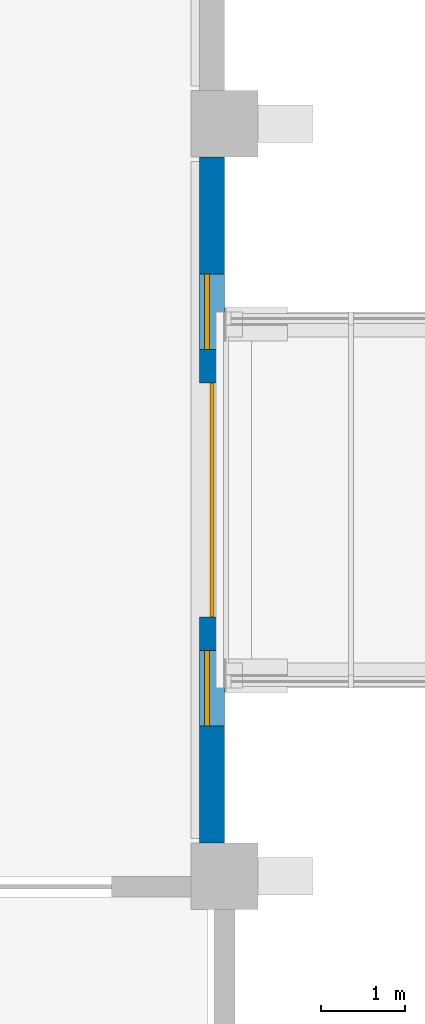
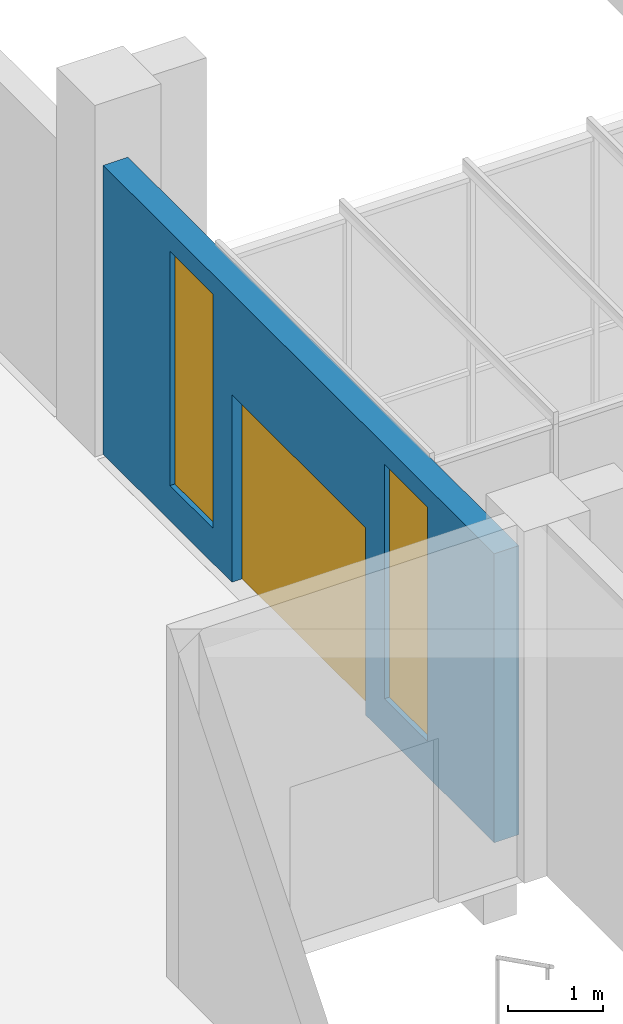
# One storey, part 69 of 106: 2 windows, 1 door, 1 wall, 3 openings.
"""IFC4 building model written with IfcOpenShell, lengths in metres."""

from ifc_helpers import new_model, si_unit, direction, frame, frame_2d, origin, place, context, subcontext, project, spatial, rectangle, extrude, material, layer, layer_set, type_object, element, fill, save


model = new_model("IFC4")

# Units and contexts
model_context = context("Model", 3, precision=1e-05, world=origin(), true_north=direction((0.0, 1.0)))
body_context = subcontext(model_context, "Body", "Model", "MODEL_VIEW")
ifc_project = project(units=[si_unit("LENGTHUNIT", "METRE"), si_unit("AREAUNIT", "SQUARE_METRE"), si_unit("VOLUMEUNIT", "CUBIC_METRE"), si_unit("PLANEANGLEUNIT", "RADIAN"), si_unit("MASSUNIT", "GRAM", prefix="KILO")], contexts=[model_context])

# Site, building, storey
site_placement = place(None, origin())
site = spatial("IfcSite", under=ifc_project, at=site_placement, CompositionType="ELEMENT")
building_placement = place(site_placement, origin())
building = spatial("IfcBuilding", under=site, at=building_placement, Name="Guidao Yard Department Store", CompositionType="ELEMENT")
storey_placement = place(building_placement, frame((0.0, 0.0, 10.5)))
storey = spatial("IfcBuildingStorey", under=building, at=storey_placement, Name="L02", CompositionType="ELEMENT", Elevation=10.5)

# Wall, openings, door, windows
ifc_material_1 = material(Name="Concrete C35", Category="concrete")
ifc_layer = layer(ifc_material_1, 0.300048828125)
ifc_layer_set = layer_set([ifc_layer], Name="Hall facade wall 300 C35")
wall_type = type_object("IfcWallType", Name="Hall facade wall 300 C35", PredefinedType="SOLIDWALL", material=ifc_layer_set)
wall_placement = place(storey_placement, frame((62.85009765625, 62.60009765625, 0.0), z_axis=(0.0, 0.0, 1.0), x_axis=(0.0, -1.0, 0.0)))
wall = element("IfcWall", 1, at=wall_placement, inside=storey, type_object=wall_type, Name="Hall facade wall", PredefinedType="SOLIDWALL", context=body_context, shape_type="SweptSolid", body=[
    extrude(rectangle(XDim=8.2001953125, YDim=0.300048828125, at=frame_2d((4.10009765625, 0.0))), origin(), (0.0, 0.0, 1.0), 3.699951171875),
])
opening_1_placement = place(wall_placement, frame((2.699951171875, 0.0, 0.0)))
opening_1 = element("IfcOpeningElement", 2, at=opening_1_placement, cuts=wall, Name="Opening L02-850", PredefinedType="OPENING", context=body_context, shape_type="SweptSolid", body=[
    extrude(rectangle(XDim=2.800048828125, YDim=2.39990234375, at=frame_2d((1.39990234375, 1.199951171875))), frame((0.0, 0.159912109375, 0.0), z_axis=(0.0, -1.0, 0.0), x_axis=(1.0, 0.0, 0.0)), (0.0, 0.0, 1.0), 0.320068359375),
])
opening_2_placement = place(wall_placement, frame((5.89990234375, 0.0, 0.449951171875)))
opening_2 = element("IfcOpeningElement", 3, at=opening_2_placement, cuts=wall, Name="Opening WN-L02-E19", PredefinedType="OPENING", context=body_context, shape_type="SweptSolid", body=[
    extrude(rectangle(XDim=0.89990234375, YDim=3.0, at=frame_2d((0.449951171875, 1.5))), frame((0.0, 0.159912109375, 0.0), z_axis=(0.0, -1.0, 0.0), x_axis=(1.0, 0.0, 0.0)), (0.0, 0.0, 1.0), 0.320068359375),
])
opening_3_placement = place(wall_placement, frame((1.39990234375, 0.0, 0.449951171875)))
opening_3 = element("IfcOpeningElement", 4, at=opening_3_placement, cuts=wall, Name="Opening WN-L02-E20", PredefinedType="OPENING", context=body_context, shape_type="SweptSolid", body=[
    extrude(rectangle(XDim=0.89990234375, YDim=3.0, at=frame_2d((0.449951171875, 1.5))), frame((0.0, 0.159912109375, 0.0), z_axis=(0.0, -1.0, 0.0), x_axis=(1.0, 0.0, 0.0)), (0.0, 0.0, 1.0), 0.320068359375),
])
ifc_material_2 = material(Name="Fire-resistant glass in steel frame", Category="steel")
door_type = type_object("IfcDoorType", Name="Bridge door BD1 2800 x 2400 fire-rated glazed double leaf", OperationType="DOUBLE_DOOR_SINGLE_SWING", PredefinedType="DOOR", material=ifc_material_2)
door_placement = place(opening_1_placement, origin())
door = element("IfcDoor", 5, at=door_placement, inside=storey, type_object=door_type, Name="Bridge door BR03", OperationType="DOUBLE_DOOR_SINGLE_SWING", OverallHeight=2.39990234375, OverallWidth=2.800048828125, PredefinedType="DOOR", context=body_context, shape_type="SweptSolid", body=[
    extrude(rectangle(XDim=2.800048828125, YDim=2.39990234375, at=frame_2d((1.39990234375, 1.199951171875))), frame((0.0, 0.02490234375, 0.0), z_axis=(0.0, -1.0, 0.0), x_axis=(1.0, 0.0, 0.0)), (0.0, 0.0, 1.0), 0.050048828125),
])
fill(opening_1, door)
ifc_material_3 = material(Name="Laminated glass in aluminium frame", Category="aluminium")
window_type = type_object("IfcWindowType", Name="Slot window SL1 900 x 3000 fixed", PartitioningType="SINGLE_PANEL", PredefinedType="WINDOW", material=ifc_material_3)
window_1_placement = place(opening_2_placement, origin())
window_1 = element("IfcWindow", 6, at=window_1_placement, inside=storey, type_object=window_type, Name="Slot window", OverallHeight=3.0, OverallWidth=0.89990234375, PartitioningType="SINGLE_PANEL", PredefinedType="WINDOW", context=body_context, shape_type="SweptSolid", body=[
    extrude(rectangle(XDim=0.89990234375, YDim=3.0, at=frame_2d((0.449951171875, 1.5))), frame((0.0, -0.030029296875, 0.0), z_axis=(0.0, -1.0, 0.0), x_axis=(1.0, 0.0, 0.0)), (0.0, 0.0, 1.0), 0.06005859375),
])
fill(opening_2, window_1)
window_2_placement = place(opening_3_placement, origin())
window_2 = element("IfcWindow", 7, at=window_2_placement, inside=storey, type_object=window_type, Name="Slot window", OverallHeight=3.0, OverallWidth=0.89990234375, PartitioningType="SINGLE_PANEL", PredefinedType="WINDOW", context=body_context, shape_type="SweptSolid", body=[
    extrude(rectangle(XDim=0.89990234375, YDim=3.0, at=frame_2d((0.449951171875, 1.5))), frame((0.0, -0.030029296875, 0.0), z_axis=(0.0, -1.0, 0.0), x_axis=(1.0, 0.0, 0.0)), (0.0, 0.0, 1.0), 0.06005859375),
])
fill(opening_3, window_2)

save(model, "model.ifc")
